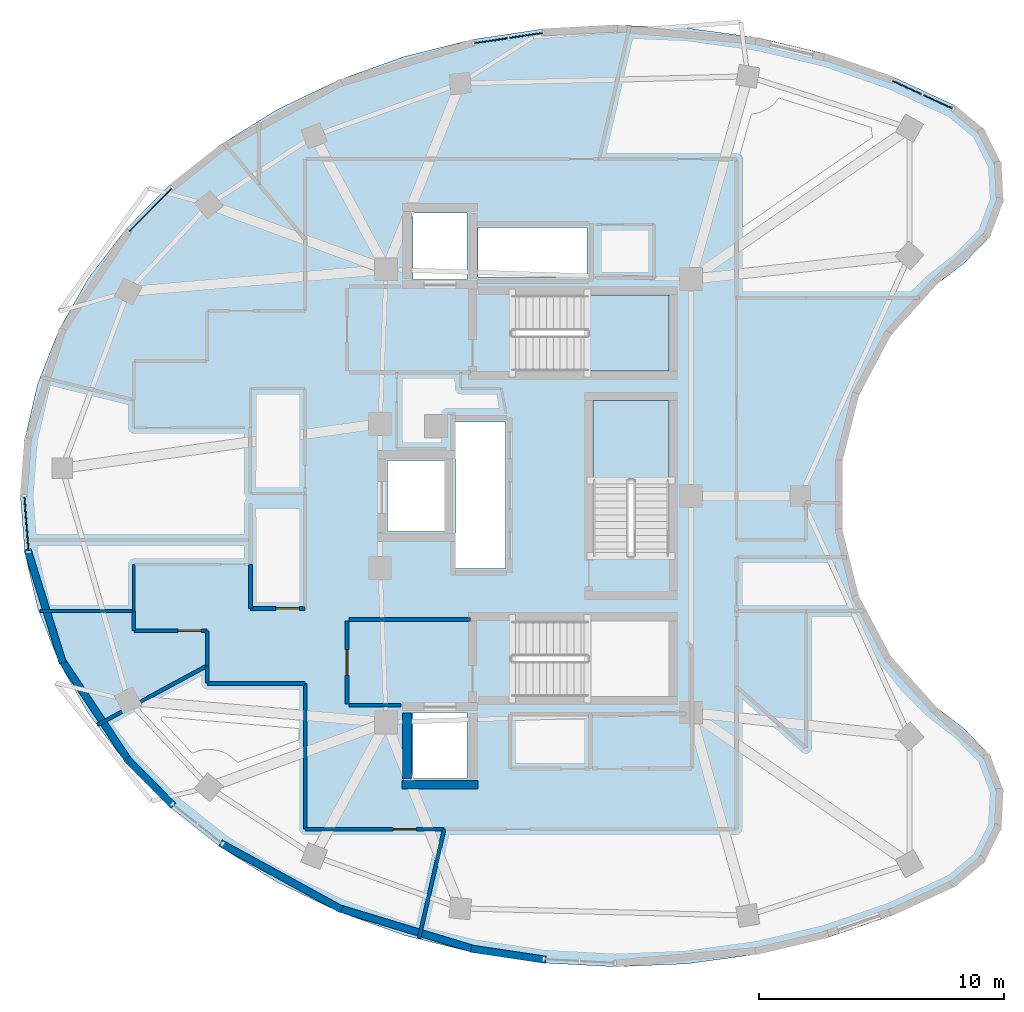
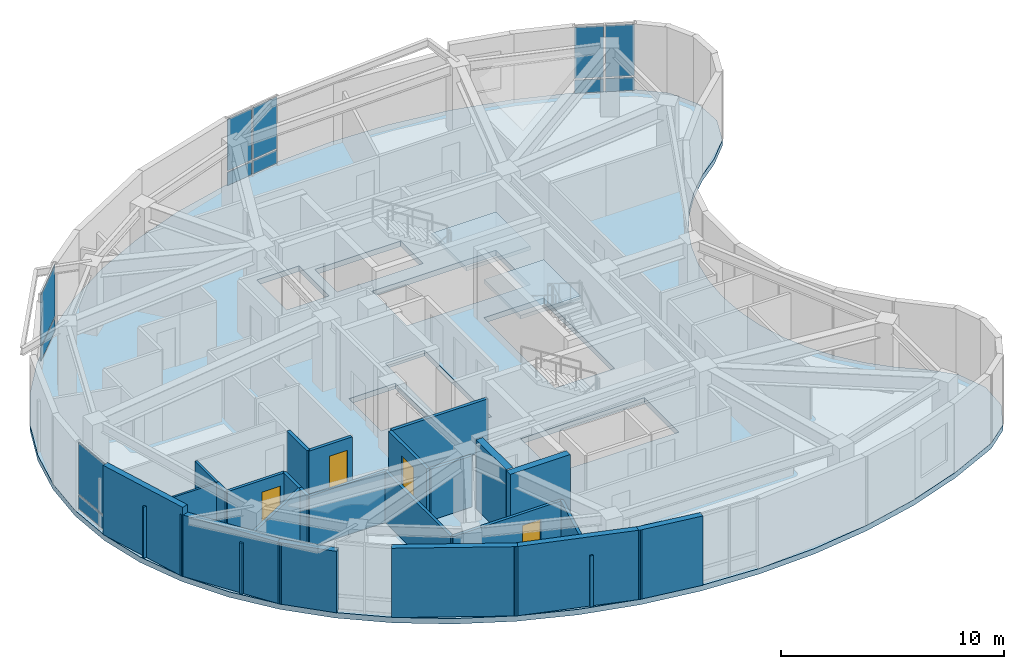
# One storey, part 5 of 12: 24 walls, 12 plates, 4 doors, 3 slabs, 4 openings, 6 elements without a shape of their own.
"""IFC4 building model written with IfcOpenShell, lengths in metres."""

from ifc_helpers import new_model, si_unit, direction, frame, frame_2d, origin, origin_2d, place, context, subcontext, project, spatial, polyline, rectangle, outline, extrude, material, layer, layer_set, type_object, element, fill, aggregate, save


model = new_model("IFC4")

# Units and contexts
model_context = context("Model", 3, precision=1e-05, world=origin(), true_north=direction((0.0, 1.0)))
body_context = subcontext(model_context, "Body", "Model", "MODEL_VIEW")
ifc_project = project(units=[si_unit("LENGTHUNIT", "METRE"), si_unit("AREAUNIT", "SQUARE_METRE"), si_unit("VOLUMEUNIT", "CUBIC_METRE"), si_unit("PLANEANGLEUNIT", "RADIAN"), si_unit("MASSUNIT", "GRAM", prefix="KILO")], contexts=[model_context])

# Site, building, storey
site_placement = place(None, origin())
site = spatial("IfcSite", under=ifc_project, at=site_placement, CompositionType="ELEMENT")
building_placement = place(site_placement, origin())
building = spatial("IfcBuilding", under=site, at=building_placement, Name="Korentha Bioscience Tower", CompositionType="ELEMENT")
storey_placement = place(building_placement, frame((0.0, 0.0, 282.60009765625)))
storey = spatial("IfcBuildingStorey", under=building, at=storey_placement, Name="L65", CompositionType="ELEMENT", Elevation=282.60009765625)

# Curtain wall, plates
ifc_material_1 = material(Name="Thermally Broken Aluminium Frame", Category="aluminium")
ifc_layer_1 = layer(ifc_material_1, 0.219970703125, Name="Thermally Broken Aluminium Frame")
ifc_layer_set_1 = layer_set([ifc_layer_1], Name="Thermally Broken Aluminium Frame (CW-T1)")
curtain_wall_type = type_object("IfcCurtainWallType", Name="Standard Bioscience Lab Unitised Curtain Wall CW-T1", PredefinedType="USERDEFINED", material=ifc_layer_set_1)
curtain_wall_1_placement = place(storey_placement, origin())
curtain_wall_1 = element("IfcCurtainWall", 1, at=curtain_wall_1_placement, inside=storey, type_object=curtain_wall_type, Name="L65 Curtain Wall 01", ObjectType="UNITISED", PredefinedType="USERDEFINED")
ifc_material_2 = material(Name="Triple-Glazed Low-E Insulated Glass", Category="glass")
ifc_layer_2 = layer(ifc_material_2, 0.0439453125, Name="Triple-Glazed Low-E Insulated Glass")
ifc_layer_set_2 = layer_set([ifc_layer_2], Name="Triple-Glazed Low-E Insulated Glass (GL-44)")
plate_type = type_object("IfcPlateType", Name="Glazed Panel 44mm", PredefinedType="CURTAIN_PANEL", material=ifc_layer_set_2)
plate_1_placement = place(storey_placement, frame((47.63330078125, 43.09521484375, 0.08984375), z_axis=(0.0, 0.0, 1.0), x_axis=(-0.907204022278, 0.420690934016, 0.0)))
plate_1 = element("IfcPlate", 2, at=plate_1_placement, type_object=plate_type, Name="CW-L65-01 Bay 1 Glazed Panel 1", PredefinedType="CURTAIN_PANEL", context=body_context, shape_type="SweptSolid", body=[
    extrude(rectangle(XDim=1.301513671875, YDim=0.0439453125, at=origin_2d()), origin(), (0.0, 0.0, 1.0), 0.715087890625),
])
plate_2_placement = place(storey_placement, frame((47.63330078125, 43.09521484375, 0.89501953125), z_axis=(0.0, 0.0, 1.0), x_axis=(-0.907204022278, 0.420690934016, 0.0)))
plate_2 = element("IfcPlate", 3, at=plate_2_placement, type_object=plate_type, Name="CW-L65-01 Bay 1 Glazed Panel 2", PredefinedType="CURTAIN_PANEL", context=body_context, shape_type="SweptSolid", body=[
    extrude(rectangle(XDim=1.301513671875, YDim=0.0439453125, at=origin_2d()), origin(), (0.0, 0.0, 1.0), 2.804931640625),
])
plate_3_placement = place(storey_placement, frame((46.37109375, 43.6806640625, 0.08984375), z_axis=(0.0, 0.0, 1.0), x_axis=(-0.907204022278, 0.420690934016, 0.0)))
plate_3 = element("IfcPlate", 4, at=plate_3_placement, type_object=plate_type, Name="CW-L65-01 Bay 2 Glazed Panel 1", PredefinedType="CURTAIN_PANEL", context=body_context, shape_type="SweptSolid", body=[
    extrude(rectangle(XDim=1.301513671875, YDim=0.0439453125, at=origin_2d()), origin(), (0.0, 0.0, 1.0), 0.715087890625),
])
plate_4_placement = place(storey_placement, frame((46.37109375, 43.6806640625, 0.89501953125), z_axis=(0.0, 0.0, 1.0), x_axis=(-0.907204022278, 0.420690934016, 0.0)))
plate_4 = element("IfcPlate", 5, at=plate_4_placement, type_object=plate_type, Name="CW-L65-01 Bay 2 Glazed Panel 2", PredefinedType="CURTAIN_PANEL", context=body_context, shape_type="SweptSolid", body=[
    extrude(rectangle(XDim=1.301513671875, YDim=0.0439453125, at=origin_2d()), origin(), (0.0, 0.0, 1.0), 2.804931640625),
])
aggregate(curtain_wall_1, [plate_1, plate_2, plate_3, plate_4])

curtain_wall_2_placement = place(storey_placement, origin())
curtain_wall_2 = element("IfcCurtainWall", 6, at=curtain_wall_2_placement, inside=storey, type_object=curtain_wall_type, Name="L65 Curtain Wall 07", ObjectType="UNITISED", PredefinedType="USERDEFINED")
plate_5_placement = place(storey_placement, frame((30.817138671875, 45.81005859375, 0.08984375), z_axis=(0.0, 0.0, 1.0), x_axis=(-0.98900659611, -0.147871406471, 0.0)))
plate_5 = element("IfcPlate", 7, at=plate_5_placement, type_object=plate_type, Name="CW-L65-07 Bay 1 Glazed Panel 1", PredefinedType="CURTAIN_PANEL", context=body_context, shape_type="SweptSolid", body=[
    extrude(rectangle(XDim=1.3662109375, YDim=0.0439453125, at=origin_2d()), origin(), (0.0, 0.0, 1.0), 0.715087890625),
])
plate_6_placement = place(storey_placement, frame((30.817138671875, 45.81005859375, 0.89501953125), z_axis=(0.0, 0.0, 1.0), x_axis=(-0.98900659611, -0.147871406471, 0.0)))
plate_6 = element("IfcPlate", 8, at=plate_6_placement, type_object=plate_type, Name="CW-L65-07 Bay 1 Glazed Panel 2", PredefinedType="CURTAIN_PANEL", context=body_context, shape_type="SweptSolid", body=[
    extrude(rectangle(XDim=1.3662109375, YDim=0.0439453125, at=origin_2d()), origin(), (0.0, 0.0, 1.0), 2.804931640625),
])
plate_7_placement = place(storey_placement, frame((29.376953125, 45.5947265625, 0.08984375), z_axis=(0.0, 0.0, 1.0), x_axis=(-0.98900659611, -0.147871406471, 0.0)))
plate_7 = element("IfcPlate", 9, at=plate_7_placement, type_object=plate_type, Name="CW-L65-07 Bay 2 Glazed Panel 1", PredefinedType="CURTAIN_PANEL", context=body_context, shape_type="SweptSolid", body=[
    extrude(rectangle(XDim=1.3662109375, YDim=0.0439453125, at=origin_2d()), origin(), (0.0, 0.0, 1.0), 0.715087890625),
])
plate_8_placement = place(storey_placement, frame((29.376953125, 45.5947265625, 0.89501953125), z_axis=(0.0, 0.0, 1.0), x_axis=(-0.98900659611, -0.147871406471, 0.0)))
plate_8 = element("IfcPlate", 10, at=plate_8_placement, type_object=plate_type, Name="CW-L65-07 Bay 2 Glazed Panel 2", PredefinedType="CURTAIN_PANEL", context=body_context, shape_type="SweptSolid", body=[
    extrude(rectangle(XDim=1.3662109375, YDim=0.0439453125, at=origin_2d()), origin(), (0.0, 0.0, 1.0), 2.804931640625),
])
aggregate(curtain_wall_2, [plate_5, plate_6, plate_7, plate_8])

curtain_wall_3_placement = place(storey_placement, origin())
curtain_wall_3 = element("IfcCurtainWall", 11, at=curtain_wall_3_placement, inside=storey, type_object=curtain_wall_type, Name="L65 Curtain Wall 13", ObjectType="UNITISED", PredefinedType="USERDEFINED")
plate_9_placement = place(storey_placement, frame((15.46826171875, 38.67822265625, 0.08984375), z_axis=(0.0, 0.0, 1.0), x_axis=(-0.703813123431, -0.710385168262, 0.0)))
plate_9 = element("IfcPlate", 12, at=plate_9_placement, type_object=plate_type, Name="CW-L65-13 Bay 1 Glazed Panel 1", PredefinedType="CURTAIN_PANEL", context=body_context, shape_type="SweptSolid", body=[
    extrude(rectangle(XDim=2.467529296875, YDim=0.0439453125, at=origin_2d()), origin(), (0.0, 0.0, 1.0), 0.715087890625),
])
plate_10_placement = place(storey_placement, frame((15.46826171875, 38.67822265625, 0.89501953125), z_axis=(0.0, 0.0, 1.0), x_axis=(-0.703813123431, -0.710385168262, 0.0)))
plate_10 = element("IfcPlate", 13, at=plate_10_placement, type_object=plate_type, Name="CW-L65-13 Bay 1 Glazed Panel 2", PredefinedType="CURTAIN_PANEL", context=body_context, shape_type="SweptSolid", body=[
    extrude(rectangle(XDim=2.467529296875, YDim=0.0439453125, at=origin_2d()), origin(), (0.0, 0.0, 1.0), 2.804931640625),
])
aggregate(curtain_wall_3, [plate_9, plate_10])

curtain_wall_4_placement = place(storey_placement, origin())
curtain_wall_4 = element("IfcCurtainWall", 14, at=curtain_wall_4_placement, inside=storey, type_object=curtain_wall_type, Name="L65 Curtain Wall 19", ObjectType="UNITISED", PredefinedType="USERDEFINED")
plate_11_placement = place(storey_placement, frame((10.406005859375, 25.858642578125, 0.08984375), z_axis=(0.0, 0.0, 1.0), x_axis=(0.076447323916, -0.997073621487, 0.0)))
plate_11 = element("IfcPlate", 15, at=plate_11_placement, type_object=plate_type, Name="CW-L65-19 Bay 1 Glazed Panel 1", PredefinedType="CURTAIN_PANEL", context=body_context, shape_type="SweptSolid", body=[
    extrude(rectangle(XDim=2.2138671875, YDim=0.0439453125, at=origin_2d()), origin(), (0.0, 0.0, 1.0), 0.715087890625),
])
plate_12_placement = place(storey_placement, frame((10.406005859375, 25.858642578125, 0.89501953125), z_axis=(0.0, 0.0, 1.0), x_axis=(0.076447323916, -0.997073621487, 0.0)))
plate_12 = element("IfcPlate", 16, at=plate_12_placement, type_object=plate_type, Name="CW-L65-19 Bay 1 Glazed Panel 2", PredefinedType="CURTAIN_PANEL", context=body_context, shape_type="SweptSolid", body=[
    extrude(rectangle(XDim=2.2138671875, YDim=0.0439453125, at=origin_2d()), origin(), (0.0, 0.0, 1.0), 2.804931640625),
])
aggregate(curtain_wall_4, [plate_11, plate_12])

# Slab
ifc_material_3 = material(Name="Concrete C50", Category="concrete")
ifc_layer_3 = layer(ifc_material_3, 0.300048828125, Name="Concrete C50")
ifc_layer_set_3 = layer_set([ifc_layer_3], Name="Concrete C50 (SL-L300)")
slab_type_1 = type_object("IfcSlabType", Name="Laboratory Vibration-Controlled Slab 300", PredefinedType="FLOOR", material=ifc_layer_set_3)
slab_1_placement = place(storey_placement, frame((0.0, 0.0, -0.300048828125)))
element("IfcSlab", 17, at=slab_1_placement, inside=storey, type_object=slab_type_1, Name="L65 Tower Structural Floor Slab", PredefinedType="FLOOR", context=body_context, shape_type="SweptSolid", body=[
    extrude(outline(polyline([(48.33642578125, 42.94580078125), (45.802734375, 44.12060546875), (43.10791015625, 45.04833984375), (40.291015625, 45.715576171875), (37.392333984375, 46.112548828125), (34.4541015625, 46.2333984375), (31.5185546875, 46.07666015625), (28.628173828125, 45.64453125), (25.82470703125, 44.943115234375), (23.1484375, 43.982666015625), (20.63818359375, 42.77685546875), (18.330322265625, 41.343505859375), (16.258056640625, 39.702880859375), (14.450927734375, 37.87890625), (12.935546875, 35.897705078125), (11.733642578125, 33.788330078125), (10.862548828125, 31.580810546875), (10.334716796875, 29.306884765625), (10.157958984375, 27.0), (10.334716796875, 24.693115234375), (10.862548828125, 22.419189453125), (11.733642578125, 20.211669921875), (12.935546875, 18.102294921875), (14.450927734375, 16.12109375), (16.258056640625, 14.297119140625), (18.330322265625, 12.656494140625), (20.63818359375, 11.22314453125), (23.1484375, 10.017333984375), (25.82470703125, 9.056884765625), (28.628173828125, 8.35546875), (31.5185546875, 7.92333984375), (34.4541015625, 7.7666015625), (37.392333984375, 7.887451171875), (40.291015625, 8.284423828125), (43.10791015625, 8.95166015625), (45.802734375, 9.87939453125), (48.33642578125, 11.05419921875), (49.524169921875, 12.041259765625), (50.216796875, 13.421142578125), (50.298828125, 14.96337890625), (49.756103515625, 16.408935546875), (48.6796875, 17.51611328125), (47.57177734375, 18.366455078125), (46.575439453125, 19.345458984375), (45.7060546875, 20.438720703125), (44.976318359375, 21.62939453125), (44.39697265625, 22.900390625), (43.97705078125, 24.232421875), (43.722412109375, 25.60595703125), (43.63720703125, 27.0), (43.722412109375, 28.39404296875), (43.97705078125, 29.767578125), (44.39697265625, 31.099609375), (44.976318359375, 32.37060546875), (45.7060546875, 33.561279296875), (46.575439453125, 34.654541015625), (47.57177734375, 35.633544921875), (48.6796875, 36.48388671875), (49.756103515625, 37.591064453125), (50.298828125, 39.03662109375), (50.216796875, 40.578857421875), (49.524169921875, 41.958740234375), (48.33642578125, 42.94580078125)]), holes=[polyline([(30.25, 32.10009765625), (36.64990234375, 32.10009765625), (36.64990234375, 35.199951171875), (30.25, 35.199951171875), (30.25, 32.10009765625)]), polyline([(30.25, 18.800048828125), (36.64990234375, 18.800048828125), (36.64990234375, 21.89990234375), (30.25, 21.89990234375), (30.25, 18.800048828125)]), polyline([(36.64990234375, 24.550048828125), (36.64990234375, 30.89990234375), (33.550048828125, 30.89990234375), (33.550048828125, 24.550048828125), (36.64990234375, 24.550048828125)]), polyline([(27.929931640625, 24.030029296875), (29.969970703125, 24.030029296875), (29.969970703125, 30.02001953125), (27.929931640625, 30.02001953125), (27.929931640625, 24.030029296875)]), polyline([(28.860107421875, 35.93994140625), (33.31005859375, 35.93994140625), (33.31005859375, 37.9599609375), (28.860107421875, 37.9599609375), (28.860107421875, 35.93994140625)]), polyline([(26.199951171875, 15.449951171875), (28.39990234375, 15.449951171875), (28.39990234375, 18.14990234375), (26.199951171875, 18.14990234375), (26.199951171875, 15.449951171875)]), polyline([(26.199951171875, 35.85009765625), (28.39990234375, 35.85009765625), (28.39990234375, 38.550048828125), (26.199951171875, 38.550048828125), (26.199951171875, 35.85009765625)]), polyline([(25.14990234375, 25.550048828125), (27.550048828125, 25.550048828125), (27.550048828125, 28.449951171875), (25.14990234375, 28.449951171875), (25.14990234375, 25.550048828125)])]), origin(), (0.0, 0.0, 1.0), 0.300048828125),
])

# Stair, slab
ifc_material_4 = material(Name="Precast Concrete C50", Category="concrete")
stair_type = type_object("IfcStairType", Name="Core Exit Dog-Leg Stair 1450", PredefinedType="HALF_TURN_STAIR", material=ifc_material_4)
stair_1_placement = place(storey_placement, origin())
stair_1 = element("IfcStair", 18, at=stair_1_placement, inside=storey, type_object=stair_type, Name="L65 Tower North Pressurized Exit Stair ST-1", PredefinedType="HALF_TURN_STAIR")
ifc_layer_4 = layer(ifc_material_3, 0.199951171875, Name="Concrete C50")
ifc_layer_set_4 = layer_set([ifc_layer_4], Name="Concrete C50 (SL-LND)")
slab_type_2 = type_object("IfcSlabType", Name="Landing Slab 200", PredefinedType="LANDING", material=ifc_layer_set_4)
slab_2_placement = place(storey_placement, frame((0.0, 0.0, 1.89990234375)))
slab_2 = element("IfcSlab", 19, at=slab_2_placement, type_object=slab_type_2, Name="ST-1 landing 1", PredefinedType="LANDING", context=body_context, shape_type="SweptSolid", body=[
    extrude(outline(polyline([(33.330078125, 32.10009765625), (36.64990234375, 32.10009765625), (36.64990234375, 35.199951171875), (33.330078125, 35.199951171875), (33.330078125, 32.10009765625)])), origin(), (0.0, 0.0, 1.0), 0.199951171875),
])
aggregate(stair_1, [slab_2])

stair_2_placement = place(storey_placement, origin())
stair_2 = element("IfcStair", 20, at=stair_2_placement, inside=storey, type_object=stair_type, Name="L65 Tower Central Pressurized Exit Stair ST-3", PredefinedType="HALF_TURN_STAIR")
slab_3_placement = place(storey_placement, frame((0.0, 0.0, 1.89990234375)))
slab_3 = element("IfcSlab", 21, at=slab_3_placement, type_object=slab_type_2, Name="ST-3 landing 1", PredefinedType="LANDING", context=body_context, shape_type="SweptSolid", body=[
    extrude(outline(polyline([(36.64990234375, 27.6298828125), (36.64990234375, 30.89990234375), (33.550048828125, 30.89990234375), (33.550048828125, 27.6298828125), (36.64990234375, 27.6298828125)])), origin(), (0.0, 0.0, 1.0), 0.199951171875),
])
aggregate(stair_2, [slab_3])

# Wall, opening, door
ifc_material_5 = material(Name="Double-Stud Acoustic Gypsum", Category="gypsum")
ifc_layer_5 = layer(ifc_material_5, 0.14990234375, Name="Double-Stud Acoustic Gypsum")
ifc_layer_set_5 = layer_set([ifc_layer_5], Name="Double-Stud Acoustic Gypsum (IW-L150)")
wall_type_1 = type_object("IfcWallType", Name="Acoustic Laboratory Partition Wall 150", PredefinedType="PARTITIONING", material=ifc_layer_set_5)
wall_1_placement = place(storey_placement, frame((14.800048828125, 21.489990234375, 0.0), z_axis=(0.0, 0.0, 1.0), x_axis=(1.0, 0.0, 0.0)))
wall_1 = element("IfcWall", 22, at=wall_1_placement, inside=storey, type_object=wall_type_1, Name="L65 Research Colloquium Seminar Room 02 Entrance Wall", PredefinedType="PARTITIONING", context=body_context, shape_type="SweptSolid", body=[
    extrude(rectangle(XDim=2.989990234375, YDim=0.14990234375, at=frame_2d((1.4951171875, 0.0))), origin(), (0.0, 0.0, 1.0), 2.7998046875),
])
opening_1_placement = place(wall_1_placement, frame((1.800048828125, 0.0, 0.0)))
opening_1 = element("IfcOpeningElement", 23, at=opening_1_placement, cuts=wall_1, Name="Opening ID-10L", PredefinedType="OPENING", context=body_context, shape_type="SweptSolid", body=[
    extrude(rectangle(XDim=0.949951171875, YDim=2.14990234375, at=frame_2d((0.47509765625, 1.074951171875))), frame((0.0, 0.08984375, 0.0), z_axis=(0.0, -1.0, 0.0), x_axis=(1.0, 0.0, 0.0)), (0.0, 0.0, 1.0), 0.1796875),
])
ifc_material_6 = material(Name="Phenolic Laminate Timber Core", Category="wood")
door_type_1 = type_object("IfcDoorType", Name="Laboratory Single Leaf Door 950x2150 Left", OperationType="SINGLE_SWING_LEFT", PredefinedType="DOOR", material=ifc_material_6)
door_1_placement = place(opening_1_placement, origin())
door_1 = element("IfcDoor", 24, at=door_1_placement, inside=storey, type_object=door_type_1, Name="L65 Research Colloquium Seminar Room 02 Door", OperationType="SINGLE_SWING_LEFT", OverallHeight=2.14990234375, OverallWidth=0.949951171875, PredefinedType="DOOR", context=body_context, shape_type="SweptSolid", body=[
    extrude(rectangle(XDim=0.949951171875, YDim=2.14990234375, at=frame_2d((0.47509765625, 1.074951171875))), frame((0.0, 0.02490234375, 0.0), z_axis=(0.0, -1.0, 0.0), x_axis=(1.0, 0.0, 0.0)), (0.0, 0.0, 1.0), 0.050048828125),
])
fill(opening_1, door_1)

wall_2_placement = place(storey_placement, frame((21.800048828125, 13.389892578125, 0.0), z_axis=(0.0, 0.0, 1.0), x_axis=(1.0, 0.0, 0.0)))
wall_2 = element("IfcWall", 25, at=wall_2_placement, inside=storey, type_object=wall_type_1, Name="L65 Staff Pantry Kitchenette 03 Entrance Wall", PredefinedType="PARTITIONING", context=body_context, shape_type="SweptSolid", body=[
    extrude(rectangle(XDim=5.671142578125, YDim=0.14990234375, at=frame_2d((2.83544921875, 0.0))), origin(), (0.0, 0.0, 1.0), 2.7998046875),
])
opening_2_placement = place(wall_2_placement, frame((3.58642578125, 0.0, 0.0)))
opening_2 = element("IfcOpeningElement", 26, at=opening_2_placement, cuts=wall_2, Name="Opening ID-10R", PredefinedType="OPENING", context=body_context, shape_type="SweptSolid", body=[
    extrude(rectangle(XDim=0.949951171875, YDim=2.14990234375, at=frame_2d((0.47509765625, 1.074951171875))), frame((0.0, 0.08984375, 0.0), z_axis=(0.0, -1.0, 0.0), x_axis=(1.0, 0.0, 0.0)), (0.0, 0.0, 1.0), 0.1796875),
])
door_type_2 = type_object("IfcDoorType", Name="Laboratory Single Leaf Door 950x2150 Right", OperationType="SINGLE_SWING_RIGHT", PredefinedType="DOOR", material=ifc_material_6)
door_2_placement = place(opening_2_placement, origin())
door_2 = element("IfcDoor", 27, at=door_2_placement, inside=storey, type_object=door_type_2, Name="L65 Staff Pantry Kitchenette 03 Door", OperationType="SINGLE_SWING_RIGHT", OverallHeight=2.14990234375, OverallWidth=0.949951171875, PredefinedType="DOOR", context=body_context, shape_type="SweptSolid", body=[
    extrude(rectangle(XDim=0.949951171875, YDim=2.14990234375, at=frame_2d((0.47509765625, 1.074951171875))), frame((0.0, 0.02490234375, 0.0), z_axis=(0.0, -1.0, 0.0), x_axis=(1.0, 0.0, 0.0)), (0.0, 0.0, 1.0), 0.050048828125),
])
fill(opening_2, door_2)

# Walls
wall_3_placement = place(storey_placement, frame((14.7900390625, 22.2919921875, 0.0), z_axis=(0.0, 0.0, 1.0), x_axis=(0.0, -1.0, 0.0)))
element("IfcWall", 28, at=wall_3_placement, inside=storey, type_object=wall_type_1, Name="L65 Interior Partition 034", PredefinedType="PARTITIONING", context=body_context, shape_type="SweptSolid", body=[
    extrude(rectangle(XDim=0.7919921875, YDim=0.14990234375, at=frame_2d((0.39599609375, 0.0))), origin(), (0.0, 0.0, 1.0), 2.7998046875),
])
wall_4_placement = place(storey_placement, frame((17.7900390625, 21.489990234375, 0.0), z_axis=(0.0, 0.0, 1.0), x_axis=(0.0, -1.0, 0.0)))
element("IfcWall", 29, at=wall_4_placement, inside=storey, type_object=wall_type_1, Name="L65 Interior Partition 035", PredefinedType="PARTITIONING", context=body_context, shape_type="SweptSolid", body=[
    extrude(rectangle(XDim=1.42236328125, YDim=0.14990234375, at=frame_2d((0.711181640625, 0.0))), origin(), (0.0, 0.0, 1.0), 2.7998046875),
])
wall_5_placement = place(storey_placement, frame((17.7900390625, 20.067626953125, 0.0), z_axis=(0.0, 0.0, 1.0), x_axis=(-0.87964413558, -0.475632415568, 0.0)))
element("IfcWall", 30, at=wall_5_placement, inside=storey, type_object=wall_type_1, Name="L65 Interior Partition 036", PredefinedType="PARTITIONING", context=body_context, shape_type="SweptSolid", body=[
    extrude(rectangle(XDim=5.08935546875, YDim=0.14990234375, at=frame_2d((2.544677734375, 0.0))), origin(), (0.0, 0.0, 1.0), 2.7998046875),
])
wall_6_placement = place(storey_placement, frame((17.7900390625, 20.05615234375, 0.0), z_axis=(0.0, 0.0, 1.0), x_axis=(0.0, -1.0, 0.0)))
element("IfcWall", 31, at=wall_6_placement, inside=storey, type_object=wall_type_1, Name="L65 Interior Partition 037", PredefinedType="PARTITIONING", context=body_context, shape_type="SweptSolid", body=[
    extrude(rectangle(XDim=0.7060546875, YDim=0.14990234375, at=frame_2d((0.35302734375, 0.0))), origin(), (0.0, 0.0, 1.0), 2.7998046875),
])
wall_7_placement = place(storey_placement, frame((17.800048828125, 19.340087890625, 0.0), z_axis=(0.0, 0.0, 1.0), x_axis=(1.0, 0.0, 0.0)))
element("IfcWall", 32, at=wall_7_placement, inside=storey, type_object=wall_type_1, Name="L65 Interior Partition 038", PredefinedType="PARTITIONING", context=body_context, shape_type="SweptSolid", body=[
    extrude(rectangle(XDim=3.989990234375, YDim=0.14990234375, at=frame_2d((1.9951171875, 0.0))), origin(), (0.0, 0.0, 1.0), 2.7998046875),
])
wall_8_placement = place(storey_placement, frame((21.7900390625, 19.340087890625, 0.0), z_axis=(0.0, 0.0, 1.0), x_axis=(0.0, -1.0, 0.0)))
element("IfcWall", 33, at=wall_8_placement, inside=storey, type_object=wall_type_1, Name="L65 Interior Partition 039", PredefinedType="PARTITIONING", context=body_context, shape_type="SweptSolid", body=[
    extrude(rectangle(XDim=5.940185546875, YDim=0.14990234375, at=frame_2d((2.97021484375, 0.0))), origin(), (0.0, 0.0, 1.0), 2.7998046875),
])
wall_9_placement = place(storey_placement, frame((27.47119140625, 13.389892578125, 0.0), z_axis=(0.0, 0.0, 1.0), x_axis=(-0.224925634905, -0.974375932976, 0.0)))
element("IfcWall", 34, at=wall_9_placement, inside=storey, type_object=wall_type_1, Name="L65 Interior Partition 040", PredefinedType="PARTITIONING", context=body_context, shape_type="SweptSolid", body=[
    extrude(rectangle(XDim=4.583740234375, YDim=0.14990234375, at=frame_2d((2.2919921875, 0.0))), origin(), (0.0, 0.0, 1.0), 2.7998046875),
])
ifc_material_7 = material(Name="Fire-Rated Framed Glass", Category="glass")
ifc_layer_6 = layer(ifc_material_7, 0.110107421875, Name="Fire-Rated Framed Glass")
ifc_layer_set_6 = layer_set([ifc_layer_6], Name="Fire-Rated Framed Glass (IW-G110)")
wall_type_2 = type_object("IfcWallType", Name="Demountable Glazed Office Partition 110", PredefinedType="MOVABLE", material=ifc_layer_set_6)
wall_10_placement = place(storey_placement, frame((14.7900390625, 24.199951171875, 0.0), z_axis=(0.0, 0.0, 1.0), x_axis=(0.0, -1.0, 0.0)))
element("IfcWall", 35, at=wall_10_placement, inside=storey, type_object=wall_type_2, Name="L65 Interior Partition 032", PredefinedType="MOVABLE", context=body_context, shape_type="SweptSolid", body=[
    extrude(rectangle(XDim=1.89794921875, YDim=0.110107421875, at=frame_2d((0.948974609375, 0.0))), origin(), (0.0, 0.0, 1.0), 2.7998046875),
])
wall_11_placement = place(storey_placement, frame((14.7900390625, 22.302001953125, 0.0), z_axis=(0.0, 0.0, 1.0), x_axis=(-1.0, 0.0, 0.0)))
element("IfcWall", 36, at=wall_11_placement, inside=storey, type_object=wall_type_2, Name="L65 Interior Partition 033", PredefinedType="MOVABLE", context=body_context, shape_type="SweptSolid", body=[
    extrude(rectangle(XDim=3.83935546875, YDim=0.110107421875, at=frame_2d((1.919677734375, 0.0))), origin(), (0.0, 0.0, 1.0), 2.7998046875),
])

# Wall, opening, door
ifc_material_8 = material(Name="Gypsum-Clad Steel Stud", Category="steel")
ifc_layer_7 = layer(ifc_material_8, 0.159912109375, Name="Gypsum-Clad Steel Stud")
ifc_layer_set_7 = layer_set([ifc_layer_7], Name="Gypsum-Clad Steel Stud (IW-C160)")
wall_type_3 = type_object("IfcWallType", Name="Fire-Rated Corridor Partition Wall 160", PredefinedType="PARTITIONING", material=ifc_layer_set_7)
wall_12_placement = place(storey_placement, frame((23.5, 18.5, 0.0), z_axis=(0.0, 0.0, 1.0), x_axis=(0.0, 1.0, 0.0)))
wall_12 = element("IfcWall", 37, at=wall_12_placement, inside=storey, type_object=wall_type_3, Name="L65 FFLS-CW Rated Enclosure Wall", PredefinedType="PARTITIONING", context=body_context, shape_type="SweptSolid", body=[
    extrude(rectangle(XDim=3.39990234375, YDim=0.159912109375, at=frame_2d((1.699951171875, 0.0))), origin(), (0.0, 0.0, 1.0), 2.7998046875),
])
opening_3_placement = place(wall_12_placement, frame((1.175048828125, 0.0, 0.0)))
opening_3 = element("IfcOpeningElement", 38, at=opening_3_placement, cuts=wall_12, Name="Opening FD-90R", PredefinedType="OPENING", context=body_context, shape_type="SweptSolid", body=[
    extrude(rectangle(XDim=1.050048828125, YDim=2.14990234375, at=frame_2d((0.52490234375, 1.074951171875))), frame((0.0, 0.0947265625, 0.0), z_axis=(0.0, -1.0, 0.0), x_axis=(1.0, 0.0, 0.0)), (0.0, 0.0, 1.0), 0.189697265625),
])
ifc_material_9 = material(Name="Powder-Coated Fire-Rated Steel", Category="steel")
door_type_3 = type_object("IfcDoorType", Name="Stairwell Fire Exit Door 1050x2150 Right", OperationType="SINGLE_SWING_RIGHT", PredefinedType="DOOR", material=ifc_material_9)
door_3_placement = place(opening_3_placement, origin())
door_3 = element("IfcDoor", 39, at=door_3_placement, inside=storey, type_object=door_type_3, Name="L65 South Firefighting Lobby Door", OperationType="SINGLE_SWING_RIGHT", OverallHeight=2.14990234375, OverallWidth=1.050048828125, PredefinedType="DOOR", context=body_context, shape_type="SweptSolid", body=[
    extrude(rectangle(XDim=1.050048828125, YDim=2.14990234375, at=frame_2d((0.52490234375, 1.074951171875))), frame((0.0, 0.02490234375, 0.0), z_axis=(0.0, -1.0, 0.0), x_axis=(1.0, 0.0, 0.0)), (0.0, 0.0, 1.0), 0.050048828125),
])
fill(opening_3, door_3)

# Walls
wall_13_placement = place(storey_placement, frame((23.580078125, 21.949951171875, 0.0), z_axis=(0.0, 0.0, 1.0), x_axis=(1.0, 0.0, 0.0)))
element("IfcWall", 40, at=wall_13_placement, inside=storey, type_object=wall_type_3, Name="L65 Firefighting Lobby Return Wall FFLS-N", PredefinedType="PARTITIONING", context=body_context, shape_type="SweptSolid", body=[
    extrude(rectangle(XDim=4.969970703125, YDim=0.159912109375, at=frame_2d((2.48486328125, 0.0))), origin(), (0.0, 0.0, 1.0), 2.7998046875),
])
wall_14_placement = place(storey_placement, frame((23.580078125, 18.449951171875, 0.0), z_axis=(0.0, 0.0, 1.0), x_axis=(1.0, 0.0, 0.0)))
element("IfcWall", 41, at=wall_14_placement, inside=storey, type_object=wall_type_3, Name="L65 Firefighting Lobby Return Wall FFLS-S", PredefinedType="PARTITIONING", context=body_context, shape_type="SweptSolid", body=[
    extrude(rectangle(XDim=2.119873046875, YDim=0.159912109375, at=frame_2d((1.06005859375, 0.0))), origin(), (0.0, 0.0, 1.0), 2.7998046875),
])

# Wall, opening, door
wall_15_placement = place(storey_placement, frame((21.7900390625, 22.409912109375, 0.0), z_axis=(0.0, 0.0, 1.0), x_axis=(-1.0, 0.0, 0.0)))
wall_15 = element("IfcWall", 42, at=wall_15_placement, inside=storey, type_object=wall_type_3, Name="L65 Reclaimed Bank-2 Electrical Switchgear Store Entrance Wall", PredefinedType="PARTITIONING", context=body_context, shape_type="SweptSolid", body=[
    extrude(rectangle(XDim=2.22998046875, YDim=0.159912109375, at=frame_2d((1.114990234375, 0.0))), origin(), (0.0, 0.0, 1.0), 2.7998046875),
])
opening_4_placement = place(wall_15_placement, frame((0.239990234375, 0.0, 0.0)))
opening_4 = element("IfcOpeningElement", 43, at=opening_4_placement, cuts=wall_15, Name="Opening ID-10R", PredefinedType="OPENING", context=body_context, shape_type="SweptSolid", body=[
    extrude(rectangle(XDim=0.949951171875, YDim=2.14990234375, at=frame_2d((0.47509765625, 1.074951171875))), frame((0.0, 0.0947265625, 0.0), z_axis=(0.0, -1.0, 0.0), x_axis=(1.0, 0.0, 0.0)), (0.0, 0.0, 1.0), 0.189697265625),
])
door_4_placement = place(opening_4_placement, origin())
door_4 = element("IfcDoor", 44, at=door_4_placement, inside=storey, type_object=door_type_2, Name="L65 Reclaimed Bank-2 Electrical Switchgear Store Door", OperationType="SINGLE_SWING_RIGHT", OverallHeight=2.14990234375, OverallWidth=0.949951171875, PredefinedType="DOOR", context=body_context, shape_type="SweptSolid", body=[
    extrude(rectangle(XDim=0.949951171875, YDim=2.14990234375, at=frame_2d((0.47509765625, 1.074951171875))), frame((0.0, 0.02490234375, 0.0), z_axis=(0.0, -1.0, 0.0), x_axis=(1.0, 0.0, 0.0)), (0.0, 0.0, 1.0), 0.050048828125),
])
fill(opening_4, door_4)

# Walls
wall_16_placement = place(storey_placement, frame((19.56005859375, 22.409912109375, 0.0), z_axis=(0.0, 0.0, 1.0), x_axis=(0.0, 1.0, 0.0)))
element("IfcWall", 45, at=wall_16_placement, inside=storey, type_object=wall_type_3, Name="L65 Interior Partition 024", PredefinedType="PARTITIONING", context=body_context, shape_type="SweptSolid", body=[
    extrude(rectangle(XDim=1.7900390625, YDim=0.159912109375, at=frame_2d((0.89501953125, 0.0))), origin(), (0.0, 0.0, 1.0), 2.7998046875),
])
ifc_material_10 = material(Name="Honed Limestone Precast Concrete C40", Category="masonry")
ifc_layer_8 = layer(ifc_material_10, 0.300048828125, Name="Honed Limestone Precast Concrete C40")
ifc_layer_set_8 = layer_set([ifc_layer_8], Name="Honed Limestone Precast Concrete C40 (EW-ST300)")
wall_type_4 = type_object("IfcWallType", Name="Honed Limestone Cavity Spandrel Wall 300", PredefinedType="STANDARD", material=ifc_layer_set_8)
wall_17_placement = place(storey_placement, frame((10.444580078125, 24.81103515625, 0.0), z_axis=(0.0, 0.0, 1.0), x_axis=(0.297974306034, -0.954573890772, 0.0)))
element("IfcWall", 46, at=wall_17_placement, inside=storey, type_object=wall_type_4, Name="L65 Limestone Perimeter Closure Wall 20", PredefinedType="STANDARD", context=body_context, shape_type="SweptSolid", body=[
    extrude(rectangle(XDim=4.8544921875, YDim=0.300048828125, at=frame_2d((2.42724609375, 0.0))), origin(), (0.0, 0.0, 1.0), 3.789794921875),
])
wall_18_placement = place(storey_placement, frame((11.805908203125, 20.355712890625, 0.0), z_axis=(0.0, 0.0, 1.0), x_axis=(0.553332864868, -0.832960227536, 0.0)))
element("IfcWall", 47, at=wall_18_placement, inside=storey, type_object=wall_type_4, Name="L65 Limestone Perimeter Closure Wall 22", PredefinedType="STANDARD", context=body_context, shape_type="SweptSolid", body=[
    extrude(rectangle(XDim=5.07080078125, YDim=0.300048828125, at=frame_2d((2.535400390625, 0.0))), origin(), (0.0, 0.0, 1.0), 3.35986328125),
])
wall_19_placement = place(storey_placement, frame((14.494140625, 16.276611328125, 0.0), z_axis=(0.0, 0.0, 1.0), x_axis=(0.703787296298, -0.710410755528, 0.0)))
element("IfcWall", 48, at=wall_19_placement, inside=storey, type_object=wall_type_4, Name="L65 Limestone Perimeter Closure Wall 24", PredefinedType="STANDARD", context=body_context, shape_type="SweptSolid", body=[
    extrude(rectangle(XDim=2.7275390625, YDim=0.300048828125, at=frame_2d((1.36376953125, 0.0))), origin(), (0.0, 0.0, 1.0), 3.35986328125),
])
wall_20_placement = place(storey_placement, frame((18.327392578125, 12.817626953125, 0.0), z_axis=(0.0, 0.0, 1.0), x_axis=(0.877062479499, -0.480376318166, 0.0)))
element("IfcWall", 49, at=wall_20_placement, inside=storey, type_object=wall_type_4, Name="L65 Limestone Perimeter Closure Wall 26", PredefinedType="STANDARD", context=body_context, shape_type="SweptSolid", body=[
    extrude(rectangle(XDim=5.653564453125, YDim=0.300048828125, at=frame_2d((2.82666015625, 0.0))), origin(), (0.0, 0.0, 1.0), 3.789794921875),
])
wall_21_placement = place(storey_placement, frame((23.112548828125, 10.174560546875, 0.0), z_axis=(0.0, 0.0, 1.0), x_axis=(0.95696124157, -0.290215751008, 0.0)))
element("IfcWall", 50, at=wall_21_placement, inside=storey, type_object=wall_type_4, Name="L65 Limestone Perimeter Closure Wall 28", PredefinedType="STANDARD", context=body_context, shape_type="SweptSolid", body=[
    extrude(rectangle(XDim=5.88623046875, YDim=0.300048828125, at=frame_2d((2.943115234375, 0.0))), origin(), (0.0, 0.0, 1.0), 3.789794921875),
])
wall_22_placement = place(storey_placement, frame((28.56982421875, 8.505859375, 0.0), z_axis=(0.0, 0.0, 1.0), x_axis=(0.988994950801, -0.147949272691, 0.0)))
element("IfcWall", 51, at=wall_22_placement, inside=storey, type_object=wall_type_4, Name="L65 Limestone Perimeter Closure Wall 30", PredefinedType="STANDARD", context=body_context, shape_type="SweptSolid", body=[
    extrude(rectangle(XDim=3.08251953125, YDim=0.300048828125, at=frame_2d((1.541259765625, 0.0))), origin(), (0.0, 0.0, 1.0), 3.789794921875),
])
ifc_layer_9 = layer(ifc_material_3, 0.35009765625, Name="Concrete C50")
ifc_layer_set_9 = layer_set([ifc_layer_9], Name="Concrete C50 (CW-C50)")
wall_type_5 = type_object("IfcWallType", Name="Upper Core Shear Wall 350", PredefinedType="SHEAR", material=ifc_layer_set_9)
wall_23_placement = place(storey_placement, frame((25.75, 15.199951171875, 0.0), z_axis=(0.0, 0.0, 1.0), x_axis=(1.0, 0.0, 0.0)))
element("IfcWall", 52, at=wall_23_placement, inside=storey, type_object=wall_type_5, Name="L65 Core Shear Wall FFL1-S", PredefinedType="SHEAR", context=body_context, shape_type="SweptSolid", body=[
    extrude(rectangle(XDim=3.10009765625, YDim=0.35009765625, at=frame_2d((1.550048828125, 0.0))), origin(), (0.0, 0.0, 1.0), 3.789794921875),
])
wall_24_placement = place(storey_placement, frame((25.949951171875, 15.43994140625, 0.0), z_axis=(0.0, 0.0, 1.0), x_axis=(0.0, 1.0, 0.0)))
element("IfcWall", 53, at=wall_24_placement, inside=storey, type_object=wall_type_5, Name="L65 Core Shear Wall FFL1-W", PredefinedType="SHEAR", context=body_context, shape_type="SweptSolid", body=[
    extrude(rectangle(XDim=2.699951171875, YDim=0.35009765625, at=frame_2d((1.35009765625, 0.0))), origin(), (0.0, 0.0, 1.0), 3.789794921875),
])

save(model, "model.ifc")
